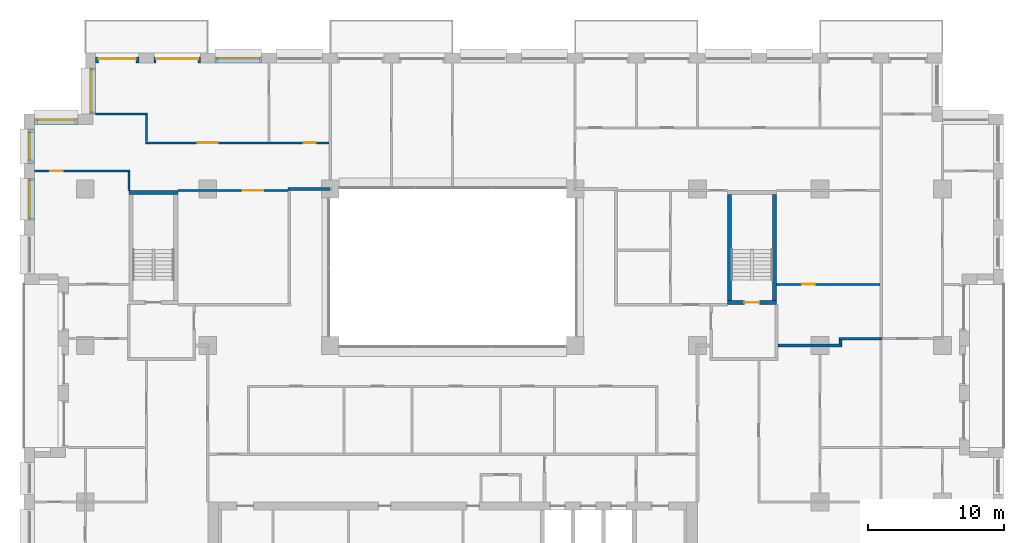
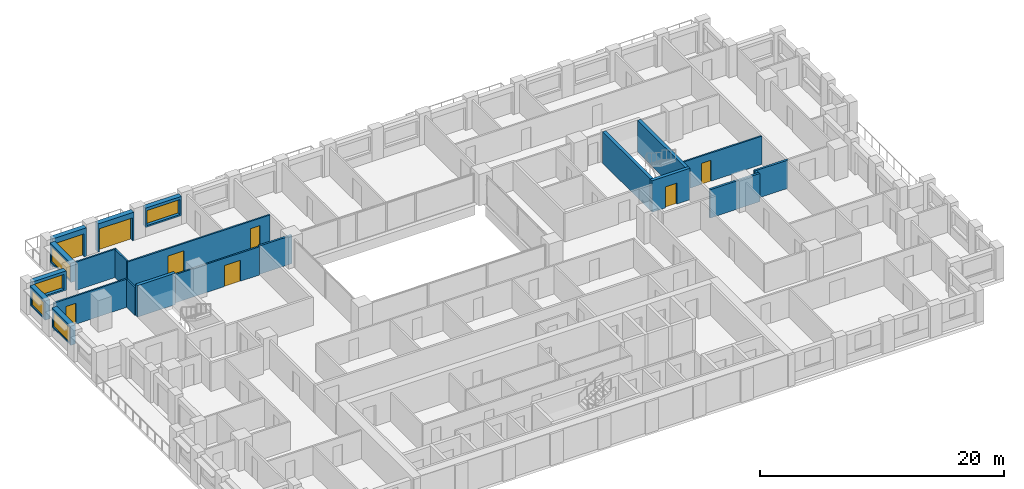
# One storey, part 12 of 16: 22 walls, 8 doors, 5 windows, 13 openings.
"""IFC4 building model written with IfcOpenShell, lengths in metres."""

from ifc_helpers import new_model, si_unit, direction, frame, frame_2d, origin, place, context, subcontext, project, spatial, rectangle, extrude, material, layer, layer_set, type_object, element, fill, save


model = new_model("IFC4")

# Units and contexts
model_context = context("Model", 3, precision=1e-05, world=origin(), true_north=direction((0.0, 1.0)))
body_context = subcontext(model_context, "Body", "Model", "MODEL_VIEW")
ifc_project = project(units=[si_unit("LENGTHUNIT", "METRE"), si_unit("AREAUNIT", "SQUARE_METRE"), si_unit("VOLUMEUNIT", "CUBIC_METRE"), si_unit("PLANEANGLEUNIT", "RADIAN"), si_unit("MASSUNIT", "GRAM", prefix="KILO")], contexts=[model_context])

# Site, building, storey
site_placement = place(None, origin())
site = spatial("IfcSite", under=ifc_project, at=site_placement, CompositionType="ELEMENT")
building_placement = place(site_placement, origin())
building = spatial("IfcBuilding", under=site, at=building_placement, Name="Brigalow Station Residences", CompositionType="ELEMENT")
storey_placement = place(building_placement, frame((0.0, 0.0, 118.199951171875)))
storey = spatial("IfcBuildingStorey", under=building, at=storey_placement, Name="L34", CompositionType="ELEMENT", Elevation=118.199951171875)

# Wall, opening, window
ifc_material_1 = material(Name="Clay brick masonry", Category="masonry")
ifc_layer_1 = layer(ifc_material_1, 0.449951171875)
ifc_layer_set_1 = layer_set([ifc_layer_1], Name="BRICK INFILL WALL 450")
wall_type_1 = type_object("IfcWallType", Name="BRICK INFILL WALL 450", PredefinedType="SOLIDWALL", material=ifc_layer_set_1)
wall_1_placement = place(storey_placement, frame((21.949951171875, 44.97509765625, 0.900146484375), z_axis=(0.0, 0.0, 1.0), x_axis=(-1.0, 0.0, 0.0)))
wall_1 = element("IfcWall", 1, at=wall_1_placement, inside=storey, type_object=wall_type_1, Name="L34/ewall/W-L34-34", PredefinedType="SOLIDWALL", context=body_context, shape_type="SweptSolid", body=[
    extrude(rectangle(XDim=3.39990234375, YDim=0.449951171875, at=frame_2d((1.699951171875, 0.0))), origin(), (0.0, 0.0, 1.0), 1.929931640625),
])
opening_1_placement = place(wall_1_placement, frame((0.14990234375, 0.0, 0.14990234375)))
opening_1 = element("IfcOpeningElement", 2, at=opening_1_placement, cuts=wall_1, Name="Opening WT-8", PredefinedType="OPENING", context=body_context, shape_type="SweptSolid", body=[
    extrude(rectangle(XDim=3.10009765625, YDim=1.5, at=frame_2d((1.550048828125, 0.75))), frame((0.0, 0.23486328125, 0.0), z_axis=(0.0, -1.0, 0.0), x_axis=(1.0, 0.0, 0.0)), (0.0, 0.0, 1.0), 0.469970703125),
])
ifc_material_2 = material(Name="Anodised aluminium frame with double glazing", Category="aluminium")
window_type_1 = type_object("IfcWindowType", Name="WINDOW 3100x1500", PartitioningType="SINGLE_PANEL", PredefinedType="WINDOW", material=ifc_material_2)
window_1_placement = place(opening_1_placement, origin())
window_1 = element("IfcWindow", 3, at=window_1_placement, inside=storey, type_object=window_type_1, Name="L34/window/W-L34-34", OverallHeight=1.5, OverallWidth=3.10009765625, PartitioningType="SINGLE_PANEL", PredefinedType="WINDOW", context=body_context, shape_type="SweptSolid", body=[
    extrude(rectangle(XDim=3.10009765625, YDim=1.5, at=frame_2d((1.550048828125, 0.75))), frame((0.0, -0.06494140625, 0.0), z_axis=(0.0, -1.0, 0.0), x_axis=(1.0, 0.0, 0.0)), (0.0, 0.0, 1.0), 0.06005859375),
])
fill(opening_1, window_1)

# Wall, opening, door
wall_2_placement = place(storey_placement, frame((17.449951171875, 44.97509765625, 0.0), z_axis=(0.0, 0.0, 1.0), x_axis=(-1.0, 0.0, 0.0)))
wall_2 = element("IfcWall", 4, at=wall_2_placement, inside=storey, type_object=wall_type_1, Name="L34/ewall/W-L34-35", PredefinedType="SOLIDWALL", context=body_context, shape_type="SweptSolid", body=[
    extrude(rectangle(XDim=3.39990234375, YDim=0.449951171875, at=frame_2d((1.699951171875, 0.0))), origin(), (0.0, 0.0, 1.0), 2.830078125),
])
opening_2_placement = place(wall_2_placement, frame((0.14990234375, 0.0, 0.0)))
opening_2 = element("IfcOpeningElement", 5, at=opening_2_placement, cuts=wall_2, Name="Opening D-B3100", PredefinedType="OPENING", context=body_context, shape_type="SweptSolid", body=[
    extrude(rectangle(XDim=3.10009765625, YDim=2.300048828125, at=frame_2d((1.550048828125, 1.14990234375))), frame((0.0, 0.23486328125, 0.0), z_axis=(0.0, -1.0, 0.0), x_axis=(1.0, 0.0, 0.0)), (0.0, 0.0, 1.0), 0.469970703125),
])
ifc_material_3 = material(Name="Anodised aluminium frame with double glazing", Category="aluminium")
door_type_1 = type_object("IfcDoorType", Name="BALCONY SLIDING DOOR 3100x2300", OperationType="SLIDING_TO_LEFT", PredefinedType="DOOR", material=ifc_material_3)
door_1_placement = place(opening_2_placement, origin())
door_1 = element("IfcDoor", 6, at=door_1_placement, inside=storey, type_object=door_type_1, Name="L34/balcony-door/W-L34-35", OperationType="SLIDING_TO_LEFT", OverallHeight=2.300048828125, OverallWidth=3.10009765625, PredefinedType="DOOR", context=body_context, shape_type="SweptSolid", body=[
    extrude(rectangle(XDim=3.10009765625, YDim=2.300048828125, at=frame_2d((1.550048828125, 1.14990234375))), frame((0.0, -0.06982421875, 0.0), z_axis=(0.0, -1.0, 0.0), x_axis=(1.0, 0.0, 0.0)), (0.0, 0.0, 1.0), 0.050048828125),
])
fill(opening_2, door_1)

wall_3_placement = place(storey_placement, frame((12.949951171875, 44.97509765625, 0.0), z_axis=(0.0, 0.0, 1.0), x_axis=(-1.0, 0.0, 0.0)))
wall_3 = element("IfcWall", 7, at=wall_3_placement, inside=storey, type_object=wall_type_1, Name="L34/ewall/W-L34-36", PredefinedType="SOLIDWALL", context=body_context, shape_type="SweptSolid", body=[
    extrude(rectangle(XDim=3.199951171875, YDim=0.449951171875, at=frame_2d((1.60009765625, 0.0))), origin(), (0.0, 0.0, 1.0), 2.830078125),
])
opening_3_placement = place(wall_3_placement, frame((0.22509765625, 0.0, 0.0)))
opening_3 = element("IfcOpeningElement", 8, at=opening_3_placement, cuts=wall_3, Name="Opening D-B2750", PredefinedType="OPENING", context=body_context, shape_type="SweptSolid", body=[
    extrude(rectangle(XDim=2.75, YDim=2.300048828125, at=frame_2d((1.375, 1.14990234375))), frame((0.0, 0.23486328125, 0.0), z_axis=(0.0, -1.0, 0.0), x_axis=(1.0, 0.0, 0.0)), (0.0, 0.0, 1.0), 0.469970703125),
])
ifc_material_4 = material(Name="Anodised aluminium frame with double glazing", Category="aluminium")
door_type_2 = type_object("IfcDoorType", Name="BALCONY SLIDING DOOR 2750x2300", OperationType="SLIDING_TO_LEFT", PredefinedType="DOOR", material=ifc_material_4)
door_2_placement = place(opening_3_placement, origin())
door_2 = element("IfcDoor", 9, at=door_2_placement, inside=storey, type_object=door_type_2, Name="L34/balcony-door/W-L34-36", OperationType="SLIDING_TO_LEFT", OverallHeight=2.300048828125, OverallWidth=2.75, PredefinedType="DOOR", context=body_context, shape_type="SweptSolid", body=[
    extrude(rectangle(XDim=2.75, YDim=2.300048828125, at=frame_2d((1.375, 1.14990234375))), frame((0.0, -0.06982421875, 0.0), z_axis=(0.0, -1.0, 0.0), x_axis=(1.0, 0.0, 0.0)), (0.0, 0.0, 1.0), 0.050048828125),
])
fill(opening_3, door_2)

# Wall, opening, window
wall_4_placement = place(storey_placement, frame((9.52490234375, 44.39990234375, 0.900146484375), z_axis=(0.0, 0.0, 1.0), x_axis=(0.0, -1.0, 0.0)))
wall_4 = element("IfcWall", 10, at=wall_4_placement, inside=storey, type_object=wall_type_1, Name="L34/ewall/W-L34-37", PredefinedType="SOLIDWALL", context=body_context, shape_type="SweptSolid", body=[
    extrude(rectangle(XDim=3.39990234375, YDim=0.449951171875, at=frame_2d((1.699951171875, 0.0))), origin(), (0.0, 0.0, 1.0), 1.929931640625),
])
opening_4_placement = place(wall_4_placement, frame((0.14990234375, 0.0, 0.14990234375)))
opening_4 = element("IfcOpeningElement", 11, at=opening_4_placement, cuts=wall_4, Name="Opening WT-8", PredefinedType="OPENING", context=body_context, shape_type="SweptSolid", body=[
    extrude(rectangle(XDim=3.10009765625, YDim=1.5, at=frame_2d((1.550048828125, 0.75))), frame((0.0, 0.23486328125, 0.0), z_axis=(0.0, -1.0, 0.0), x_axis=(1.0, 0.0, 0.0)), (0.0, 0.0, 1.0), 0.469970703125),
])
window_2_placement = place(opening_4_placement, origin())
window_2 = element("IfcWindow", 12, at=window_2_placement, inside=storey, type_object=window_type_1, Name="L34/window/W-L34-37", OverallHeight=1.5, OverallWidth=3.10009765625, PartitioningType="SINGLE_PANEL", PredefinedType="WINDOW", context=body_context, shape_type="SweptSolid", body=[
    extrude(rectangle(XDim=3.10009765625, YDim=1.5, at=frame_2d((1.550048828125, 0.75))), frame((0.0, -0.06494140625, 0.0), z_axis=(0.0, -1.0, 0.0), x_axis=(1.0, 0.0, 0.0)), (0.0, 0.0, 1.0), 0.06005859375),
])
fill(opening_4, window_2)

wall_5_placement = place(storey_placement, frame((8.449951171875, 40.47509765625, 0.900146484375), z_axis=(0.0, 0.0, 1.0), x_axis=(-1.0, 0.0, 0.0)))
wall_5 = element("IfcWall", 13, at=wall_5_placement, inside=storey, type_object=wall_type_1, Name="L34/ewall/W-L34-38", PredefinedType="SOLIDWALL", context=body_context, shape_type="SweptSolid", body=[
    extrude(rectangle(XDim=3.199951171875, YDim=0.449951171875, at=frame_2d((1.60009765625, 0.0))), origin(), (0.0, 0.0, 1.0), 1.929931640625),
])
opening_5_placement = place(wall_5_placement, frame((0.22509765625, 0.0, 0.14990234375)))
opening_5 = element("IfcOpeningElement", 14, at=opening_5_placement, cuts=wall_5, Name="Opening WT-3", PredefinedType="OPENING", context=body_context, shape_type="SweptSolid", body=[
    extrude(rectangle(XDim=2.75, YDim=1.5, at=frame_2d((1.375, 0.75))), frame((0.0, 0.23486328125, 0.0), z_axis=(0.0, -1.0, 0.0), x_axis=(1.0, 0.0, 0.0)), (0.0, 0.0, 1.0), 0.469970703125),
])
ifc_material_5 = material(Name="Anodised aluminium frame with double glazing", Category="aluminium")
window_type_2 = type_object("IfcWindowType", Name="WINDOW 2750x1500", PartitioningType="SINGLE_PANEL", PredefinedType="WINDOW", material=ifc_material_5)
window_3_placement = place(opening_5_placement, origin())
window_3 = element("IfcWindow", 15, at=window_3_placement, inside=storey, type_object=window_type_2, Name="L34/window/W-L34-38", OverallHeight=1.5, OverallWidth=2.75, PartitioningType="SINGLE_PANEL", PredefinedType="WINDOW", context=body_context, shape_type="SweptSolid", body=[
    extrude(rectangle(XDim=2.75, YDim=1.5, at=frame_2d((1.375, 0.75))), frame((0.0, -0.06494140625, 0.0), z_axis=(0.0, -1.0, 0.0), x_axis=(1.0, 0.0, 0.0)), (0.0, 0.0, 1.0), 0.06005859375),
])
fill(opening_5, window_3)

wall_6_placement = place(storey_placement, frame((5.02490234375, 39.89990234375, 0.900146484375), z_axis=(0.0, 0.0, 1.0), x_axis=(0.0, -1.0, 0.0)))
wall_6 = element("IfcWall", 16, at=wall_6_placement, inside=storey, type_object=wall_type_1, Name="L34/ewall/W-L34-39", PredefinedType="SOLIDWALL", context=body_context, shape_type="SweptSolid", body=[
    extrude(rectangle(XDim=2.516845703125, YDim=0.449951171875, at=frame_2d((1.25830078125, 0.0))), origin(), (0.0, 0.0, 1.0), 1.929931640625),
])
opening_6_placement = place(wall_6_placement, frame((0.258544921875, 0.0, 0.14990234375)))
opening_6 = element("IfcOpeningElement", 17, at=opening_6_placement, cuts=wall_6, Name="Opening WT-7", PredefinedType="OPENING", context=body_context, shape_type="SweptSolid", body=[
    extrude(rectangle(XDim=2.0, YDim=1.5, at=frame_2d((1.0, 0.75))), frame((0.0, 0.23486328125, 0.0), z_axis=(0.0, -1.0, 0.0), x_axis=(1.0, 0.0, 0.0)), (0.0, 0.0, 1.0), 0.469970703125),
])
ifc_material_6 = material(Name="Anodised aluminium frame with double glazing", Category="aluminium")
window_type_3 = type_object("IfcWindowType", Name="WINDOW 2000x1500", PartitioningType="SINGLE_PANEL", PredefinedType="WINDOW", material=ifc_material_6)
window_4_placement = place(opening_6_placement, origin())
window_4 = element("IfcWindow", 18, at=window_4_placement, inside=storey, type_object=window_type_3, Name="L34/window/W-L34-39", OverallHeight=1.5, OverallWidth=2.0, PartitioningType="SINGLE_PANEL", PredefinedType="WINDOW", context=body_context, shape_type="SweptSolid", body=[
    extrude(rectangle(XDim=2.0, YDim=1.5, at=frame_2d((1.0, 0.75))), frame((0.0, -0.06494140625, 0.0), z_axis=(0.0, -1.0, 0.0), x_axis=(1.0, 0.0, 0.0)), (0.0, 0.0, 1.0), 0.06005859375),
])
fill(opening_6, window_4)

wall_7_placement = place(storey_placement, frame((5.02490234375, 36.282958984375, 0.900146484375), z_axis=(0.0, 0.0, 1.0), x_axis=(0.0, -1.0, 0.0)))
wall_7 = element("IfcWall", 19, at=wall_7_placement, inside=storey, type_object=wall_type_1, Name="L34/ewall/W-L34-40", PredefinedType="SOLIDWALL", context=body_context, shape_type="SweptSolid", body=[
    extrude(rectangle(XDim=3.06591796875, YDim=0.449951171875, at=frame_2d((1.532958984375, 0.0))), origin(), (0.0, 0.0, 1.0), 1.929931640625),
])
opening_7_placement = place(wall_7_placement, frame((0.157958984375, 0.0, 0.14990234375)))
opening_7 = element("IfcOpeningElement", 20, at=opening_7_placement, cuts=wall_7, Name="Opening WT-3", PredefinedType="OPENING", context=body_context, shape_type="SweptSolid", body=[
    extrude(rectangle(XDim=2.75, YDim=1.5, at=frame_2d((1.375, 0.75))), frame((0.0, 0.23486328125, 0.0), z_axis=(0.0, -1.0, 0.0), x_axis=(1.0, 0.0, 0.0)), (0.0, 0.0, 1.0), 0.469970703125),
])
window_5_placement = place(opening_7_placement, origin())
window_5 = element("IfcWindow", 21, at=window_5_placement, inside=storey, type_object=window_type_2, Name="L34/window/W-L34-40", OverallHeight=1.5, OverallWidth=2.75, PartitioningType="SINGLE_PANEL", PredefinedType="WINDOW", context=body_context, shape_type="SweptSolid", body=[
    extrude(rectangle(XDim=2.75, YDim=1.5, at=frame_2d((1.375, 0.75))), frame((0.0, -0.06494140625, 0.0), z_axis=(0.0, -1.0, 0.0), x_axis=(1.0, 0.0, 0.0)), (0.0, 0.0, 1.0), 0.06005859375),
])
fill(opening_7, window_5)

# Wall
ifc_material_7 = material(Name="Concrete C65", Category="concrete")
ifc_layer_2 = layer(ifc_material_7, 0.300048828125)
ifc_layer_set_2 = layer_set([ifc_layer_2], Name="CORE SHEAR WALL 300 C65")
wall_type_2 = type_object("IfcWallType", Name="CORE SHEAR WALL 300 C65", PredefinedType="SHEAR", material=ifc_layer_set_2)
wall_8_placement = place(storey_placement, frame((12.199951171875, 35.25, 0.0), z_axis=(0.0, 0.0, 1.0), x_axis=(1.0, 0.0, 0.0)))
element("IfcWall", 22, at=wall_8_placement, inside=storey, type_object=wall_type_2, Name="CORE WALL ST-S1-N L34", PredefinedType="SHEAR", context=body_context, shape_type="SweptSolid", body=[
    extrude(rectangle(XDim=3.60009765625, YDim=0.300048828125, at=frame_2d((1.800048828125, 0.0))), origin(), (0.0, 0.0, 1.0), 3.150146484375),
])

# Wall, opening, door
wall_9_placement = place(storey_placement, frame((56.199951171875, 27.14990234375, 0.0), z_axis=(0.0, 0.0, 1.0), x_axis=(1.0, 0.0, 0.0)))
wall_9 = element("IfcWall", 23, at=wall_9_placement, inside=storey, type_object=wall_type_2, Name="CORE WALL ST-S3-S L34", PredefinedType="SHEAR", context=body_context, shape_type="SweptSolid", body=[
    extrude(rectangle(XDim=3.60009765625, YDim=0.300048828125, at=frame_2d((1.800048828125, 0.0))), origin(), (0.0, 0.0, 1.0), 3.150146484375),
])
opening_8_placement = place(wall_9_placement, frame((1.25, 0.0, 0.0)))
opening_8 = element("IfcOpeningElement", 24, at=opening_8_placement, cuts=wall_9, Name="Opening D-5018", PredefinedType="OPENING", context=body_context, shape_type="SweptSolid", body=[
    extrude(rectangle(XDim=1.10009765625, YDim=2.10009765625, at=frame_2d((0.550048828125, 1.050048828125))), frame((0.0, 0.16015625, 0.0), z_axis=(0.0, -1.0, 0.0), x_axis=(1.0, 0.0, 0.0)), (0.0, 0.0, 1.0), 0.320068359375),
])
ifc_material_8 = material(Name="Steel fire door leaf in steel frame", Category="steel")
door_type_3 = type_object("IfcDoorType", Name="STAIR DOOR 1100 x 2100 FD60S", OperationType="SINGLE_SWING_LEFT", PredefinedType="DOOR", material=ifc_material_8)
door_3_placement = place(opening_8_placement, origin())
door_3 = element("IfcDoor", 25, at=door_3_placement, inside=storey, type_object=door_type_3, Name="D-5018", OperationType="SINGLE_SWING_LEFT", OverallHeight=2.10009765625, OverallWidth=1.10009765625, PredefinedType="DOOR", context=body_context, shape_type="SweptSolid", body=[
    extrude(rectangle(XDim=1.10009765625, YDim=2.10009765625, at=frame_2d((0.550048828125, 1.050048828125))), frame((0.0, 0.02490234375, 0.0), z_axis=(0.0, -1.0, 0.0), x_axis=(1.0, 0.0, 0.0)), (0.0, 0.0, 1.0), 0.050048828125),
])
fill(opening_8, door_3)

# Walls
for number, where, z_axis, x_axis, name in (
    (26, (56.35009765625, 27.300048828125, 0.0), (0.0, 0.0, 1.0), (0.0, 1.0, 0.0), "CORE WALL ST-S3-W L34"),
    (27, (59.64990234375, 27.300048828125, 0.0), (0.0, 0.0, 1.0), (0.0, 1.0, 0.0), "CORE WALL ST-S3-E L34"),
):
    element("IfcWall", number, at=place(storey_placement, frame(where, z_axis=z_axis, x_axis=x_axis)), inside=storey, type_object=wall_type_2, Name=name, PredefinedType="SHEAR", context=body_context, shape_type="SweptSolid", body=[
        extrude(rectangle(XDim=7.800048828125, YDim=0.300048828125, at=frame_2d((3.89990234375, 0.0))), origin(), (0.0, 0.0, 1.0), 3.150146484375),
    ])

# Wall, opening, door
ifc_material_9 = material(Name="Plasterboard on steel stud partition", Category="steel")
ifc_layer_3 = layer(ifc_material_9, 0.14990234375)
ifc_layer_set_3 = layer_set([ifc_layer_3], Name="FLAT PARTITION 150")
wall_type_3 = type_object("IfcWallType", Name="FLAT PARTITION 150", PredefinedType="PARTITIONING", material=ifc_layer_set_3)
wall_10_placement = place(storey_placement, frame((59.800048828125, 28.5, 0.0), z_axis=(0.0, 0.0, 1.0), x_axis=(1.0, 0.0, 0.0)))
wall_10 = element("IfcWall", 28, at=wall_10_placement, inside=storey, type_object=wall_type_3, Name="PW-2E22", PredefinedType="PARTITIONING", context=body_context, shape_type="SweptSolid", body=[
    extrude(rectangle(XDim=7.599853515625, YDim=0.14990234375, at=frame_2d((3.7998046875, 0.0))), origin(), (0.0, 0.0, 1.0), 2.830078125),
])
opening_9_placement = place(wall_10_placement, frame((1.89990234375, 0.0, 0.0)))
opening_9 = element("IfcOpeningElement", 29, at=opening_9_placement, cuts=wall_10, Name="Opening D-2E29", PredefinedType="OPENING", context=body_context, shape_type="SweptSolid", body=[
    extrude(rectangle(XDim=0.89990234375, YDim=2.10009765625, at=frame_2d((0.449951171875, 1.050048828125))), frame((0.0, 0.0849609375, 0.0), z_axis=(0.0, -1.0, 0.0), x_axis=(1.0, 0.0, 0.0)), (0.0, 0.0, 1.0), 0.169921875),
])
ifc_material_10 = material(Name="Solid-core timber door leaf", Category="wood")
door_type_4 = type_object("IfcDoorType", Name="INTERNAL DOOR 900 x 2100", OperationType="SINGLE_SWING_LEFT", PredefinedType="DOOR", material=ifc_material_10)
door_4_placement = place(opening_9_placement, frame((0.89990234375, 0.0, 0.0), z_axis=(0.0, 0.0, 1.0), x_axis=(-1.0, 0.0, 0.0)))
door_4 = element("IfcDoor", 30, at=door_4_placement, inside=storey, type_object=door_type_4, Name="D-2E29", OperationType="SINGLE_SWING_RIGHT", OverallHeight=2.10009765625, OverallWidth=0.89990234375, PredefinedType="DOOR", context=body_context, shape_type="SweptSolid", body=[
    extrude(rectangle(XDim=0.89990234375, YDim=2.10009765625, at=frame_2d((0.449951171875, 1.050048828125))), frame((0.0, 0.02490234375, 0.0), z_axis=(0.0, -1.0, 0.0), x_axis=(1.0, 0.0, 0.0)), (0.0, 0.0, 1.0), 0.050048828125),
])
fill(opening_9, door_4)

wall_11_placement = place(storey_placement, frame((5.25, 36.8330078125, 0.0), z_axis=(0.0, 0.0, 1.0), x_axis=(1.0, 0.0, 0.0)))
wall_11 = element("IfcWall", 31, at=wall_11_placement, inside=storey, type_object=wall_type_3, Name="PW-2E24", PredefinedType="PARTITIONING", context=body_context, shape_type="SweptSolid", body=[
    extrude(rectangle(XDim=7.02490234375, YDim=0.14990234375, at=frame_2d((3.512451171875, 0.0))), origin(), (0.0, 0.0, 1.0), 2.830078125),
])
opening_10_placement = place(wall_11_placement, frame((1.175048828125, 0.0, 0.0)))
opening_10 = element("IfcOpeningElement", 32, at=opening_10_placement, cuts=wall_11, Name="Opening D-2E12", PredefinedType="OPENING", context=body_context, shape_type="SweptSolid", body=[
    extrude(rectangle(XDim=0.89990234375, YDim=2.10009765625, at=frame_2d((0.449951171875, 1.050048828125))), frame((0.0, 0.0849609375, 0.0), z_axis=(0.0, -1.0, 0.0), x_axis=(1.0, 0.0, 0.0)), (0.0, 0.0, 1.0), 0.169921875),
])
door_5_placement = place(opening_10_placement, frame((0.89990234375, 0.0, 0.0), z_axis=(0.0, 0.0, 1.0), x_axis=(-1.0, 0.0, 0.0)))
door_5 = element("IfcDoor", 33, at=door_5_placement, inside=storey, type_object=door_type_4, Name="D-2E12", OperationType="SINGLE_SWING_RIGHT", OverallHeight=2.10009765625, OverallWidth=0.89990234375, PredefinedType="DOOR", context=body_context, shape_type="SweptSolid", body=[
    extrude(rectangle(XDim=0.89990234375, YDim=2.10009765625, at=frame_2d((0.449951171875, 1.050048828125))), frame((0.0, 0.02490234375, 0.0), z_axis=(0.0, -1.0, 0.0), x_axis=(1.0, 0.0, 0.0)), (0.0, 0.0, 1.0), 0.050048828125),
])
fill(opening_10, door_5)

# Wall, openings, doors
wall_12_placement = place(storey_placement, frame((13.425048828125, 38.89990234375, 0.0), z_axis=(0.0, 0.0, 1.0), x_axis=(1.0, 0.0, 0.0)))
wall_12 = element("IfcWall", 34, at=wall_12_placement, inside=storey, type_object=wall_type_3, Name="PW-2E26", PredefinedType="PARTITIONING", context=body_context, shape_type="SweptSolid", body=[
    extrude(rectangle(XDim=13.474853515625, YDim=0.14990234375, at=frame_2d((6.7373046875, 0.0))), origin(), (0.0, 0.0, 1.0), 2.830078125),
])
opening_11_placement = place(wall_12_placement, frame((3.824951171875, 0.0, 0.0)))
opening_11 = element("IfcOpeningElement", 35, at=opening_11_placement, cuts=wall_12, Name="Opening D-2E13", PredefinedType="OPENING", context=body_context, shape_type="SweptSolid", body=[
    extrude(rectangle(XDim=1.5, YDim=2.10009765625, at=frame_2d((0.75, 1.050048828125))), frame((0.0, 0.0849609375, 0.0), z_axis=(0.0, -1.0, 0.0), x_axis=(1.0, 0.0, 0.0)), (0.0, 0.0, 1.0), 0.169921875),
])
opening_12_placement = place(wall_12_placement, frame((11.625, 0.0, 0.0)))
opening_12 = element("IfcOpeningElement", 36, at=opening_12_placement, cuts=wall_12, Name="Opening D-2E15", PredefinedType="OPENING", context=body_context, shape_type="SweptSolid", body=[
    extrude(rectangle(XDim=0.89990234375, YDim=2.10009765625, at=frame_2d((0.449951171875, 1.050048828125))), frame((0.0, 0.0849609375, 0.0), z_axis=(0.0, -1.0, 0.0), x_axis=(1.0, 0.0, 0.0)), (0.0, 0.0, 1.0), 0.169921875),
])
door_6_placement = place(opening_12_placement, origin())
door_6 = element("IfcDoor", 37, at=door_6_placement, inside=storey, type_object=door_type_4, Name="D-2E15", OperationType="SINGLE_SWING_RIGHT", OverallHeight=2.10009765625, OverallWidth=0.89990234375, PredefinedType="DOOR", context=body_context, shape_type="SweptSolid", body=[
    extrude(rectangle(XDim=0.89990234375, YDim=2.10009765625, at=frame_2d((0.449951171875, 1.050048828125))), frame((0.0, 0.02490234375, 0.0), z_axis=(0.0, -1.0, 0.0), x_axis=(1.0, 0.0, 0.0)), (0.0, 0.0, 1.0), 0.050048828125),
])
fill(opening_12, door_6)
ifc_material_11 = material(Name="Solid-core timber door leaf", Category="wood")
door_type_5 = type_object("IfcDoorType", Name="INTERNAL DOUBLE DOOR 1500 x 2100", OperationType="DOUBLE_DOOR_SINGLE_SWING", PredefinedType="DOOR", material=ifc_material_11)
door_7_placement = place(opening_11_placement, origin())
door_7 = element("IfcDoor", 38, at=door_7_placement, inside=storey, type_object=door_type_5, Name="D-2E13", OperationType="DOUBLE_DOOR_SINGLE_SWING", OverallHeight=2.10009765625, OverallWidth=1.5, PredefinedType="DOOR", context=body_context, shape_type="SweptSolid", body=[
    extrude(rectangle(XDim=1.5, YDim=2.10009765625, at=frame_2d((0.75, 1.050048828125))), frame((0.0, 0.02490234375, 0.0), z_axis=(0.0, -1.0, 0.0), x_axis=(1.0, 0.0, 0.0)), (0.0, 0.0, 1.0), 0.050048828125),
])
fill(opening_11, door_7)

# Wall, opening, door
wall_13_placement = place(storey_placement, frame((15.800048828125, 35.39990234375, 0.0), z_axis=(0.0, 0.0, 1.0), x_axis=(1.0, 0.0, 0.0)))
wall_13 = element("IfcWall", 39, at=wall_13_placement, inside=storey, type_object=wall_type_3, Name="PW-2E27", PredefinedType="PARTITIONING", context=body_context, shape_type="SweptSolid", body=[
    extrude(rectangle(XDim=8.099853515625, YDim=0.14990234375, at=frame_2d((4.0498046875, 0.0))), origin(), (0.0, 0.0, 1.0), 2.830078125),
])
opening_13_placement = place(wall_13_placement, frame((4.77490234375, 0.0, 0.0)))
opening_13 = element("IfcOpeningElement", 40, at=opening_13_placement, cuts=wall_13, Name="Opening D-2E16", PredefinedType="OPENING", context=body_context, shape_type="SweptSolid", body=[
    extrude(rectangle(XDim=1.5, YDim=2.10009765625, at=frame_2d((0.75, 1.050048828125))), frame((0.0, 0.0849609375, 0.0), z_axis=(0.0, -1.0, 0.0), x_axis=(1.0, 0.0, 0.0)), (0.0, 0.0, 1.0), 0.169921875),
])
door_8_placement = place(opening_13_placement, frame((1.5, 0.0, 0.0), z_axis=(0.0, 0.0, 1.0), x_axis=(-1.0, 0.0, 0.0)))
door_8 = element("IfcDoor", 41, at=door_8_placement, inside=storey, type_object=door_type_5, Name="D-2E16", OperationType="DOUBLE_DOOR_SINGLE_SWING", OverallHeight=2.10009765625, OverallWidth=1.5, PredefinedType="DOOR", context=body_context, shape_type="SweptSolid", body=[
    extrude(rectangle(XDim=1.5, YDim=2.10009765625, at=frame_2d((0.75, 1.050048828125))), frame((0.0, 0.02490234375, 0.0), z_axis=(0.0, -1.0, 0.0), x_axis=(1.0, 0.0, 0.0)), (0.0, 0.0, 1.0), 0.050048828125),
])
fill(opening_13, door_8)

# Walls
wall_14_placement = place(storey_placement, frame((9.75, 41.0, 0.0), z_axis=(0.0, 0.0, 1.0), x_axis=(1.0, 0.0, 0.0)))
element("IfcWall", 42, at=wall_14_placement, inside=storey, type_object=wall_type_3, Name="PW-2E30", PredefinedType="PARTITIONING", context=body_context, shape_type="SweptSolid", body=[
    extrude(rectangle(XDim=3.824951171875, YDim=0.14990234375, at=frame_2d((1.91259765625, 0.0))), origin(), (0.0, 0.0, 1.0), 2.830078125),
])
wall_15_placement = place(storey_placement, frame((13.5, 38.97509765625, 0.0), z_axis=(0.0, 0.0, 1.0), x_axis=(0.0, 1.0, 0.0)))
element("IfcWall", 43, at=wall_15_placement, inside=storey, type_object=wall_type_3, Name="PW-2E46", PredefinedType="PARTITIONING", context=body_context, shape_type="SweptSolid", body=[
    extrude(rectangle(XDim=1.949951171875, YDim=0.14990234375, at=frame_2d((0.97509765625, 0.0))), origin(), (0.0, 0.0, 1.0), 2.830078125),
])
wall_16_placement = place(storey_placement, frame((12.199951171875, 35.39990234375, 0.0), z_axis=(0.0, 0.0, 1.0), x_axis=(0.0, 1.0, 0.0)))
element("IfcWall", 44, at=wall_16_placement, inside=storey, type_object=wall_type_3, Name="PW-2E47", PredefinedType="PARTITIONING", context=body_context, shape_type="SweptSolid", body=[
    extrude(rectangle(XDim=1.358154296875, YDim=0.14990234375, at=frame_2d((0.67919921875, 0.0))), origin(), (0.0, 0.0, 1.0), 2.830078125),
])
ifc_material_12 = material(Name="Plasterboard on steel stud partition", Category="steel")
ifc_layer_4 = layer(ifc_material_12, 0.199951171875)
ifc_layer_set_4 = layer_set([ifc_layer_4], Name="PARTY AND CORRIDOR WALL 200")
wall_type_4 = type_object("IfcWallType", Name="PARTY AND CORRIDOR WALL 200", PredefinedType="PARTITIONING", material=ifc_layer_set_4)
wall_17_placement = place(storey_placement, frame((59.89990234375, 24.0, 0.0), z_axis=(0.0, 0.0, 1.0), x_axis=(1.0, 0.0, 0.0)))
element("IfcWall", 45, at=wall_17_placement, inside=storey, type_object=wall_type_4, Name="PW-2E04", PredefinedType="PARTITIONING", context=body_context, shape_type="SweptSolid", body=[
    extrude(rectangle(XDim=4.7001953125, YDim=0.199951171875, at=frame_2d((2.35009765625, 0.0))), origin(), (0.0, 0.0, 1.0), 2.830078125),
])
wall_18_placement = place(storey_placement, frame((23.89990234375, 35.5, 0.0), z_axis=(0.0, 0.0, 1.0), x_axis=(1.0, 0.0, 0.0)))
element("IfcWall", 46, at=wall_18_placement, inside=storey, type_object=wall_type_4, Name="PW-2E07", PredefinedType="PARTITIONING", context=body_context, shape_type="SweptSolid", body=[
    extrude(rectangle(XDim=3.10009765625, YDim=0.199951171875, at=frame_2d((1.550048828125, 0.0))), origin(), (0.0, 0.0, 1.0), 2.830078125),
])
wall_19_placement = place(storey_placement, frame((64.39990234375, 24.5, 0.0), z_axis=(0.0, 0.0, 1.0), x_axis=(1.0, 0.0, 0.0)))
element("IfcWall", 47, at=wall_19_placement, inside=storey, type_object=wall_type_4, Name="PW-2E20", PredefinedType="PARTITIONING", context=body_context, shape_type="SweptSolid", body=[
    extrude(rectangle(XDim=3.175048828125, YDim=0.199951171875, at=frame_2d((1.58740234375, 0.0))), origin(), (0.0, 0.0, 1.0), 2.830078125),
])
wall_20_placement = place(storey_placement, frame((64.5, 24.10009765625, 0.0), z_axis=(0.0, 0.0, 1.0), x_axis=(0.0, 1.0, 0.0)))
element("IfcWall", 48, at=wall_20_placement, inside=storey, type_object=wall_type_4, Name="PW-2E61", PredefinedType="PARTITIONING", context=body_context, shape_type="SweptSolid", body=[
    extrude(rectangle(XDim=0.2998046875, YDim=0.199951171875, at=frame_2d((0.14990234375, 0.0))), origin(), (0.0, 0.0, 1.0), 2.830078125),
])

save(model, "model.ifc")
